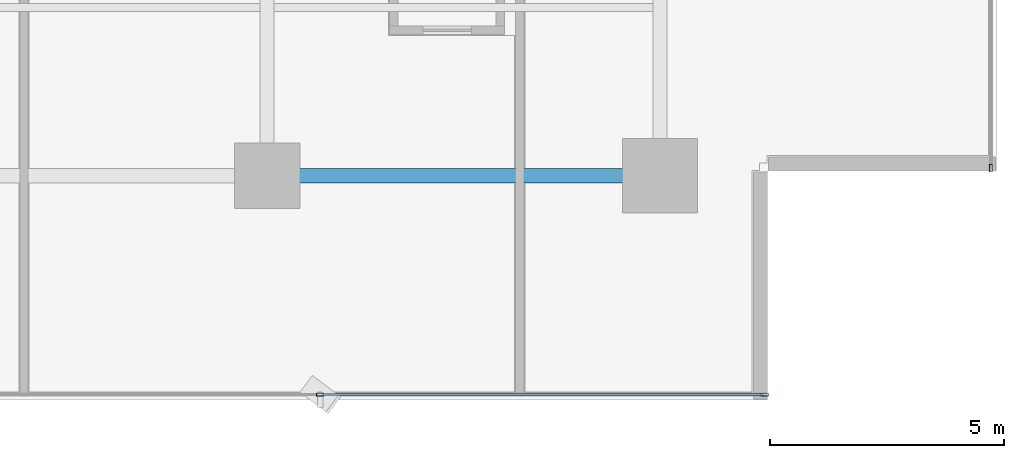
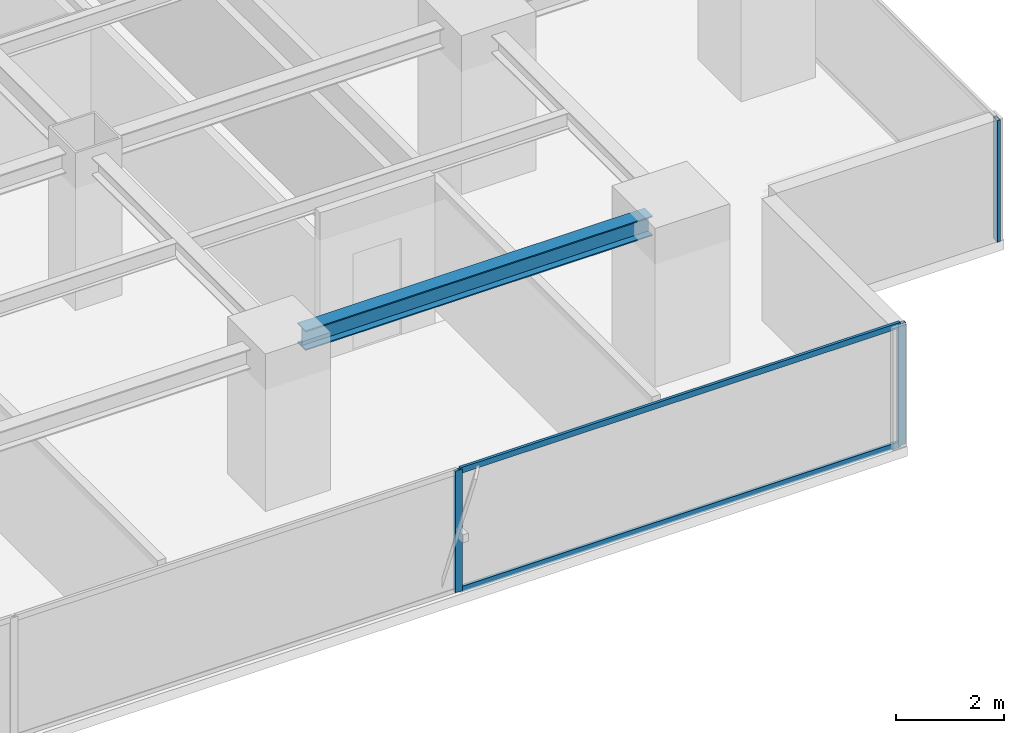
# One storey, part 9 of 28: 5 members, 1 beam, 2 elements without a shape of their own.
"""IFC4 building model written with IfcOpenShell, lengths in metres."""

from ifc_helpers import new_model, si_unit, direction, frame, origin, origin_2d, place, context, subcontext, project, spatial, hollow_rectangle, i_section, extrude, source, transform, mapped, material, layer, layer_set, material_profile, profile_set, type_object, element, aggregate, save


model = new_model("IFC4")

# Units and contexts
model_context = context("Model", 3, precision=1e-05, world=origin(), true_north=direction((0.0, 1.0)))
body_context = subcontext(model_context, "Body", "Model", "MODEL_VIEW")
ifc_project = project(units=[si_unit("LENGTHUNIT", "METRE"), si_unit("AREAUNIT", "SQUARE_METRE"), si_unit("VOLUMEUNIT", "CUBIC_METRE"), si_unit("PLANEANGLEUNIT", "RADIAN"), si_unit("MASSUNIT", "GRAM", prefix="KILO")], contexts=[model_context])

# Site, building, storey
site_placement = place(None, origin())
site = spatial("IfcSite", under=ifc_project, at=site_placement, CompositionType="ELEMENT")
building_placement = place(site_placement, origin())
building = spatial("IfcBuilding", under=site, at=building_placement, Name="Sumidabori Civic Tower", CompositionType="ELEMENT")
storey_placement = place(building_placement, frame((0.0, 0.0, 167.60009765625)))
storey = spatial("IfcBuildingStorey", under=building, at=storey_placement, Name="L43", CompositionType="ELEMENT", Elevation=167.60009765625)

# Beam
ifc_material_1 = material(Name="Steel SN490", Category="steel")
ifc_material_profile_1 = material_profile(ifc_material_1, i_section(OverallWidth=0.300048828125, OverallDepth=0.449951171875, WebThickness=0.013916015625, FlangeThickness=0.02587890625, at=origin_2d()), Name="HE 450 B")
ifc_profile_set_1 = profile_set([ifc_material_profile_1], Name="Steel SN490")
beam_type = type_object("IfcBeamType", Name="BM-GIRD-450", PredefinedType="BEAM", material=ifc_profile_set_1)
shared_shape_1 = source(origin(), body_context, "Body", "SweptSolid", [
    extrude(i_section(OverallWidth=0.300048828125, OverallDepth=0.449951171875, WebThickness=0.013916015625, FlangeThickness=0.02587890625, at=origin_2d()), origin(), (0.0, 0.0, 1.0), 7.440185546875),
])
beam_placement = place(storey_placement, frame((8.8798828125, -18.0, 3.15478515625), z_axis=(1.0, 0.0, 0.0), x_axis=(0.0, 1.0, 0.0)))
element("IfcBeam", 1, at=beam_placement, inside=storey, type_object=beam_type, Name="Primary Girder L43 GX-04", PredefinedType="BEAM", context=body_context, shape_type="MappedRepresentation", body=[
    mapped(shared_shape_1, transform((0.0, 0.0, 0.0), x_axis=(1.0, 0.0, 0.0), y_axis=(0.0, 1.0, 0.0), z_axis=(0.0, 0.0, 1.0), scale=1.0)),
])

# Curtain wall, members
ifc_material_2 = material(Name="Anodised Bronze Aluminium AW-6063-T6", Category="aluminium")
ifc_layer = layer(ifc_material_2, 0.179931640625, Name="Anodised Bronze Aluminium AW-6063-T6")
ifc_layer_set = layer_set([ifc_layer], Name="Anodised Bronze Aluminium AW-6063-T6")
curtain_wall_type = type_object("IfcCurtainWallType", Name="CW-SYS-3", PredefinedType="NOTDEFINED", material=ifc_layer_set)
curtain_wall_1_placement = place(storey_placement, origin())
curtain_wall_1 = element("IfcCurtainWall", 2, at=curtain_wall_1_placement, inside=storey, type_object=curtain_wall_type, Name="Curtain Wall CW:L43:R01", PredefinedType="NOTDEFINED")
ifc_material_profile_2 = material_profile(ifc_material_2, hollow_rectangle(XDim=0.06494140625, YDim=0.159912109375, WallThickness=0.0048828125, at=origin_2d()), Name="ALU MULLION 160x65")
ifc_profile_set_2 = profile_set([ifc_material_profile_2], Name="Anodised Bronze Aluminium AW-6063-T6")
member_type_1 = type_object("IfcMemberType", Name="CW-MUL-160", PredefinedType="MULLION", material=ifc_profile_set_2)
shared_shape_2 = source(origin(), body_context, "Body", "SweptSolid", [
    extrude(hollow_rectangle(XDim=0.06494140625, YDim=0.159912109375, WallThickness=0.0048828125, at=origin_2d()), origin(), (0.0, 0.0, 1.0), 2.760009765625),
])
member_1_placement = place(storey_placement, frame((9.534912109375, -22.679931640625, 0.0), z_axis=(0.0, 0.0, 1.0), x_axis=(0.0, 1.0, 0.0)))
member_1 = element("IfcMember", 3, at=member_1_placement, type_object=member_type_1, Name="CW-3 mullion 4", PredefinedType="MULLION", context=body_context, shape_type="MappedRepresentation", body=[
    mapped(shared_shape_2, transform((0.0, 0.0, 0.0), x_axis=(1.0, 0.0, 0.0), y_axis=(0.0, 1.0, 0.0), z_axis=(0.0, 0.0, 1.0), scale=1.0)),
])
member_2_placement = place(storey_placement, frame((19.03759765625, -22.679931640625, 0.0), z_axis=(0.0, 0.0, 1.0), x_axis=(0.0, 1.0, 0.0)))
member_2 = element("IfcMember", 4, at=member_2_placement, type_object=member_type_1, Name="CW-3 mullion 5", PredefinedType="MULLION", context=body_context, shape_type="MappedRepresentation", body=[
    mapped(shared_shape_2, transform((0.0, 0.0, 0.0), x_axis=(1.0, 0.0, 0.0), y_axis=(0.0, 1.0, 0.0), z_axis=(0.0, 0.0, 1.0), scale=1.0)),
])

# Curtain wall, member
curtain_wall_2_placement = place(storey_placement, origin())
curtain_wall_2 = element("IfcCurtainWall", 5, at=curtain_wall_2_placement, inside=storey, type_object=curtain_wall_type, Name="Curtain Wall CW:L43:R04", PredefinedType="NOTDEFINED")
member_3_placement = place(storey_placement, frame((23.8798828125, -17.83740234375, 0.0), z_axis=(0.0, 0.0, 1.0), x_axis=(-1.0, 0.0, 0.0)))
member_3 = element("IfcMember", 6, at=member_3_placement, type_object=member_type_1, Name="CW-3 mullion 1", PredefinedType="MULLION", context=body_context, shape_type="MappedRepresentation", body=[
    mapped(shared_shape_2, transform((0.0, 0.0, 0.0), x_axis=(1.0, 0.0, 0.0), y_axis=(0.0, 1.0, 0.0), z_axis=(0.0, 0.0, 1.0), scale=1.0)),
])
aggregate(curtain_wall_2, [member_3])

# Member
ifc_material_profile_3 = material_profile(ifc_material_2, hollow_rectangle(XDim=0.06005859375, YDim=0.1298828125, WallThickness=0.0048828125, at=origin_2d()), Name="ALU TRANSOM 130x60")
ifc_profile_set_3 = profile_set([ifc_material_profile_3], Name="Anodised Bronze Aluminium AW-6063-T6")
member_type_2 = type_object("IfcMemberType", Name="CW-TRN-130", PredefinedType="USERDEFINED", material=ifc_profile_set_3)
shared_shape_3 = source(origin(), body_context, "Body", "SweptSolid", [
    extrude(hollow_rectangle(XDim=0.06005859375, YDim=0.1298828125, WallThickness=0.0048828125, at=origin_2d()), origin(), (0.0, 0.0, 1.0), 9.4375),
])
member_4_placement = place(storey_placement, frame((9.5673828125, -22.679931640625, 0.02978515625), z_axis=(1.0, 0.0, 0.0), x_axis=(0.0, 1.0, 0.0)))
member_4 = element("IfcMember", 7, at=member_4_placement, type_object=member_type_2, Name="CW-3 transom 4.1", ObjectType="TRANSOM", PredefinedType="USERDEFINED", context=body_context, shape_type="MappedRepresentation", body=[
    mapped(shared_shape_3, transform((0.0, 0.0, 0.0), x_axis=(1.0, 0.0, 0.0), y_axis=(0.0, 1.0, 0.0), z_axis=(0.0, 0.0, 1.0), scale=1.0)),
])

member_5_placement = place(storey_placement, frame((9.5673828125, -22.679931640625, 2.72998046875), z_axis=(1.0, 0.0, 0.0), x_axis=(0.0, 1.0, 0.0)))
member_5 = element("IfcMember", 8, at=member_5_placement, type_object=member_type_2, Name="CW-3 transom 4.2", ObjectType="TRANSOM", PredefinedType="USERDEFINED", context=body_context, shape_type="MappedRepresentation", body=[
    mapped(shared_shape_3, transform((0.0, 0.0, 0.0), x_axis=(1.0, 0.0, 0.0), y_axis=(0.0, 1.0, 0.0), z_axis=(0.0, 0.0, 1.0), scale=1.0)),
])

aggregate(curtain_wall_1, [member_1, member_2, member_4, member_5])

save(model, "model.ifc")
